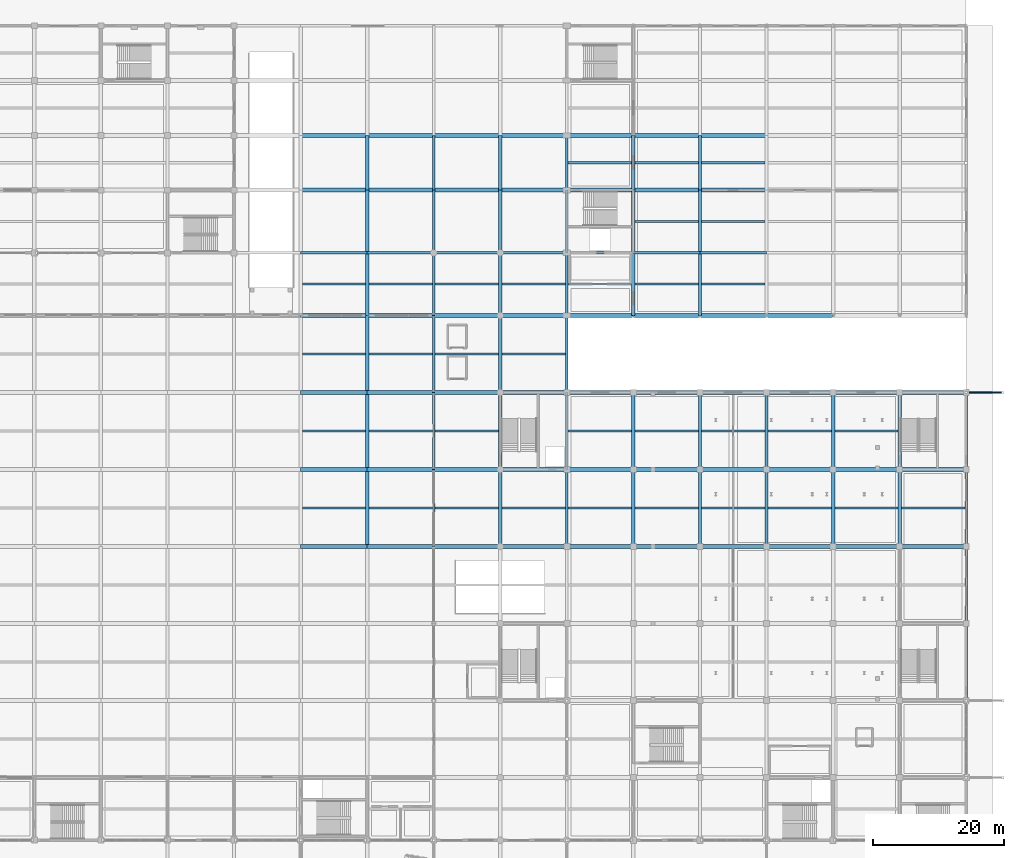
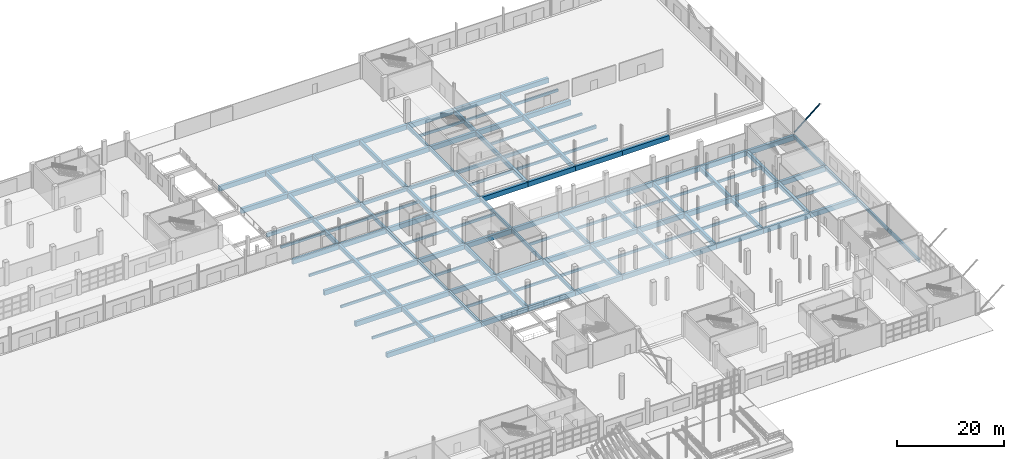
# One storey, part 64 of 124: 137 beams, 1 member.
"""IFC4 building model written with IfcOpenShell, lengths in metres."""

from ifc_helpers import new_model, si_unit, direction, frame, origin, origin_2d, place, context, subcontext, project, spatial, rectangle, hollow_circle, extrude, material, material_profile, profile_set, type_object, element, save


model = new_model("IFC4")

# Units and contexts
model_context = context("Model", 3, precision=1e-05, world=origin(), true_north=direction((0.0, 1.0)))
body_context = subcontext(model_context, "Body", "Model", "MODEL_VIEW")
ifc_project = project(units=[si_unit("LENGTHUNIT", "METRE"), si_unit("AREAUNIT", "SQUARE_METRE"), si_unit("VOLUMEUNIT", "CUBIC_METRE"), si_unit("PLANEANGLEUNIT", "RADIAN"), si_unit("MASSUNIT", "GRAM", prefix="KILO")], contexts=[model_context])

# Site, building, storey
site_placement = place(None, origin())
site = spatial("IfcSite", under=ifc_project, at=site_placement, CompositionType="ELEMENT")
building_placement = place(site_placement, origin())
building = spatial("IfcBuilding", under=site, at=building_placement, Name="Brelvane Convention Centre", CompositionType="ELEMENT")
storey_placement = place(building_placement, origin())
storey = spatial("IfcBuildingStorey", under=building, at=storey_placement, Name="L00", CompositionType="ELEMENT", Elevation=0.0)

# Beams
ifc_material_1 = material(Name="Concrete M50", Category="concrete")
ifc_material_profile_1 = material_profile(ifc_material_1, rectangle(XDim=0.60009765625, YDim=1.10009765625, at=origin_2d()), Name="RC 600x1100")
ifc_profile_set_1 = profile_set([ifc_material_profile_1], Name="Concrete M50")
beam_type_1 = type_object("IfcBeamType", Name="RC Beam B-RC2 (RC 600x1100)", PredefinedType="BEAM", material=ifc_profile_set_1)
for number, where, z_axis, x_axis, name in (
    (1, (122.39990234375, 64.199951171875, -0.929931640625), (1.0, 0.0, 0.0), (0.0, 1.0, 0.0), "L00 Beam 13-14/G"),
    (2, (122.39990234375, 76.0, -0.929931640625), (1.0, 0.0, 0.0), (0.0, 1.0, 0.0), "L00 Beam 13-14/H"),
    (3, (122.39990234375, 87.800048828125, -0.929931640625), (1.0, 0.0, 0.0), (0.0, 1.0, 0.0), "L00 Beam 13-14/J"),
    (4, (122.39990234375, 99.60009765625, -0.949951171875), (1.0, 0.0, 0.0), (0.0, 1.0, 0.0), "L00 Beam 13-14/K"),
    (5, (122.39990234375, 118.800048828125, -0.949951171875), (1.0, 0.0, 0.0), (0.0, 1.0, 0.0), "L00 Beam 13-14/M"),
    (6, (122.39990234375, 127.199951171875, -0.949951171875), (1.0, 0.0, 0.0), (0.0, 1.0, 0.0), "L00 Beam 13-14/N"),
):
    element("IfcBeam", number, at=place(storey_placement, frame(where, z_axis=z_axis, x_axis=x_axis)), inside=storey, type_object=beam_type_1, Name=name, PredefinedType="BEAM", context=body_context, shape_type="SweptSolid", body=[
        extrude(rectangle(XDim=0.60009765625, YDim=1.10009765625, at=origin_2d()), origin(), (0.0, 0.0, 1.0), 10.2001953125),
    ])
for number, where, z_axis, x_axis, name in (
    (7, (132.60009765625, 64.199951171875, -0.929931640625), (1.0, 0.0, 0.0), (0.0, 1.0, 0.0), "L00 Beam 14-15/G"),
    (8, (132.60009765625, 76.0, -0.929931640625), (1.0, 0.0, 0.0), (0.0, 1.0, 0.0), "L00 Beam 14-15/H"),
    (9, (132.60009765625, 87.800048828125, -0.929931640625), (1.0, 0.0, 0.0), (0.0, 1.0, 0.0), "L00 Beam 14-15/J"),
    (10, (132.60009765625, 99.60009765625, -0.949951171875), (1.0, 0.0, 0.0), (0.0, 1.0, 0.0), "L00 Beam 14-15/K"),
    (11, (132.60009765625, 118.800048828125, -0.949951171875), (1.0, 0.0, 0.0), (0.0, 1.0, 0.0), "L00 Beam 14-15/M"),
    (12, (132.60009765625, 127.199951171875, -0.949951171875), (1.0, 0.0, 0.0), (0.0, 1.0, 0.0), "L00 Beam 14-15/N"),
    (13, (142.800048828125, 64.199951171875, -0.949951171875), (1.0, 0.0, 0.0), (0.0, 1.0, 0.0), "L00 Beam 15-16/G"),
    (14, (142.800048828125, 76.0, -0.949951171875), (1.0, 0.0, 0.0), (0.0, 1.0, 0.0), "L00 Beam 15-16/H"),
    (15, (142.800048828125, 87.800048828125, -0.949951171875), (1.0, 0.0, 0.0), (0.0, 1.0, 0.0), "L00 Beam 15-16/J"),
    (16, (142.800048828125, 99.60009765625, -0.949951171875), (1.0, 0.0, 0.0), (0.0, 1.0, 0.0), "L00 Beam 15-16/K"),
    (17, (142.800048828125, 118.800048828125, -0.949951171875), (1.0, 0.0, 0.0), (0.0, 1.0, 0.0), "L00 Beam 15-16/M"),
    (18, (142.800048828125, 127.199951171875, -0.949951171875), (1.0, 0.0, 0.0), (0.0, 1.0, 0.0), "L00 Beam 15-16/N"),
    (19, (153.0, 64.199951171875, -0.949951171875), (1.0, 0.0, 0.0), (0.0, 1.0, 0.0), "L00 Beam 16-17/G"),
    (20, (153.0, 76.0, -0.949951171875), (1.0, 0.0, 0.0), (0.0, 1.0, 0.0), "L00 Beam 16-17/H"),
    (21, (153.0, 87.800048828125, -0.949951171875), (1.0, 0.0, 0.0), (0.0, 1.0, 0.0), "L00 Beam 16-17/J"),
    (22, (153.0, 99.60009765625, -0.949951171875), (1.0, 0.0, 0.0), (0.0, 1.0, 0.0), "L00 Beam 16-17/K"),
    (23, (153.0, 118.800048828125, -0.949951171875), (1.0, 0.0, 0.0), (0.0, 1.0, 0.0), "L00 Beam 16-17/M"),
    (24, (153.0, 127.199951171875, -0.949951171875), (1.0, 0.0, 0.0), (0.0, 1.0, 0.0), "L00 Beam 16-17/N"),
    (25, (163.199951171875, 64.199951171875, -0.949951171875), (1.0, 0.0, 0.0), (0.0, 1.0, 0.0), "L00 Beam 17-18/G"),
    (26, (163.199951171875, 76.0, -0.949951171875), (1.0, 0.0, 0.0), (0.0, 1.0, 0.0), "L00 Beam 17-18/H"),
    (27, (163.199951171875, 87.800048828125, -0.949951171875), (1.0, 0.0, 0.0), (0.0, 1.0, 0.0), "L00 Beam 17-18/J"),
    (28, (163.199951171875, 99.60009765625, -0.9951171875), (1.0, 0.0, 0.0), (0.0, 1.0, 0.0), "L00 Beam 17-18/K"),
    (29, (163.199951171875, 118.800048828125, -0.9951171875), (1.0, 0.0, 0.0), (0.0, 1.0, 0.0), "L00 Beam 17-18/M"),
    (30, (163.199951171875, 127.199951171875, -0.9951171875), (1.0, 0.0, 0.0), (0.0, 1.0, 0.0), "L00 Beam 17-18/N"),
):
    element("IfcBeam", number, at=place(storey_placement, frame(where, z_axis=z_axis, x_axis=x_axis)), inside=storey, type_object=beam_type_1, Name=name, PredefinedType="BEAM", context=body_context, shape_type="SweptSolid", body=[
        extrude(rectangle(XDim=0.60009765625, YDim=1.10009765625, at=origin_2d()), origin(), (0.0, 0.0, 1.0), 10.199951171875),
    ])
for number, where, z_axis, x_axis, name in (
    (31, (173.39990234375, 64.199951171875, -0.949951171875), (1.0, 0.0, 0.0), (0.0, 1.0, 0.0), "L00 Beam 18-19/G"),
    (32, (173.39990234375, 76.0, -0.949951171875), (1.0, 0.0, 0.0), (0.0, 1.0, 0.0), "L00 Beam 18-19/H"),
    (33, (173.39990234375, 87.800048828125, -0.949951171875), (1.0, 0.0, 0.0), (0.0, 1.0, 0.0), "L00 Beam 18-19/J"),
    (34, (173.39990234375, 99.60009765625, -0.9951171875), (1.0, 0.0, 0.0), (0.0, 1.0, 0.0), "L00 Beam 18-19/K"),
    (35, (173.39990234375, 118.800048828125, -0.9951171875), (1.0, 0.0, 0.0), (0.0, 1.0, 0.0), "L00 Beam 18-19/M"),
    (36, (173.39990234375, 127.199951171875, -0.9951171875), (1.0, 0.0, 0.0), (0.0, 1.0, 0.0), "L00 Beam 18-19/N"),
):
    element("IfcBeam", number, at=place(storey_placement, frame(where, z_axis=z_axis, x_axis=x_axis)), inside=storey, type_object=beam_type_1, Name=name, PredefinedType="BEAM", context=body_context, shape_type="SweptSolid", body=[
        extrude(rectangle(XDim=0.60009765625, YDim=1.10009765625, at=origin_2d()), origin(), (0.0, 0.0, 1.0), 10.2001953125),
    ])
for number, where, z_axis, x_axis, name in (
    (37, (183.60009765625, 64.199951171875, -0.949951171875), (1.0, 0.0, 0.0), (0.0, 1.0, 0.0), "L00 Beam 19-20/G"),
    (38, (183.60009765625, 76.0, -0.949951171875), (1.0, 0.0, 0.0), (0.0, 1.0, 0.0), "L00 Beam 19-20/H"),
    (39, (183.60009765625, 87.800048828125, -0.949951171875), (1.0, 0.0, 0.0), (0.0, 1.0, 0.0), "L00 Beam 19-20/J"),
    (40, (183.60009765625, 99.60009765625, -0.9951171875), (1.0, 0.0, 0.0), (0.0, 1.0, 0.0), "L00 Beam 19-20/K"),
    (41, (183.60009765625, 118.800048828125, -0.9951171875), (1.0, 0.0, 0.0), (0.0, 1.0, 0.0), "L00 Beam 19-20/M"),
    (42, (183.60009765625, 127.199951171875, -0.9951171875), (1.0, 0.0, 0.0), (0.0, 1.0, 0.0), "L00 Beam 19-20/N"),
    (43, (193.800048828125, 64.199951171875, -0.949951171875), (1.0, 0.0, 0.0), (0.0, 1.0, 0.0), "L00 Beam 20-21/G"),
    (44, (193.800048828125, 76.0, -0.949951171875), (1.0, 0.0, 0.0), (0.0, 1.0, 0.0), "L00 Beam 20-21/H"),
    (45, (193.800048828125, 87.800048828125, -0.949951171875), (1.0, 0.0, 0.0), (0.0, 1.0, 0.0), "L00 Beam 20-21/J"),
    (46, (193.800048828125, 99.60009765625, -0.9951171875), (1.0, 0.0, 0.0), (0.0, 1.0, 0.0), "L00 Beam 20-21/K"),
    (47, (204.0, 64.199951171875, -0.949951171875), (1.0, 0.0, 0.0), (0.0, 1.0, 0.0), "L00 Beam 21-22/G"),
    (48, (204.0, 76.0, -0.949951171875), (1.0, 0.0, 0.0), (0.0, 1.0, 0.0), "L00 Beam 21-22/H"),
    (49, (204.0, 87.800048828125, -0.949951171875), (1.0, 0.0, 0.0), (0.0, 1.0, 0.0), "L00 Beam 21-22/J"),
    (50, (214.199951171875, 64.199951171875, -0.949951171875), (1.0, 0.0, 0.0), (0.0, 1.0, 0.0), "L00 Beam 22-23/G"),
    (51, (214.199951171875, 76.0, -0.949951171875), (1.0, 0.0, 0.0), (0.0, 1.0, 0.0), "L00 Beam 22-23/H"),
    (52, (214.199951171875, 87.800048828125, -0.949951171875), (1.0, 0.0, 0.0), (0.0, 1.0, 0.0), "L00 Beam 22-23/J"),
):
    element("IfcBeam", number, at=place(storey_placement, frame(where, z_axis=z_axis, x_axis=x_axis)), inside=storey, type_object=beam_type_1, Name=name, PredefinedType="BEAM", context=body_context, shape_type="SweptSolid", body=[
        extrude(rectangle(XDim=0.60009765625, YDim=1.10009765625, at=origin_2d()), origin(), (0.0, 0.0, 1.0), 10.199951171875),
    ])
ifc_material_2 = material(Name="Concrete M50", Category="concrete")
ifc_material_profile_2 = material_profile(ifc_material_2, rectangle(XDim=0.52001953125, YDim=0.949951171875, at=origin_2d()), Name="RC 520x950")
ifc_profile_set_2 = profile_set([ifc_material_profile_2], Name="Concrete M50")
beam_type_2 = type_object("IfcBeamType", Name="RC Beam B-RC9 (RC 520x950)", PredefinedType="BEAM", material=ifc_profile_set_2)
for number, where, z_axis, x_axis, name in (
    (53, (132.60009765625, 64.199951171875, -0.85498046875), (0.0, 1.0, 0.0), (-1.0, 0.0, 0.0), "L00 Girder 14/G-H"),
    (54, (132.60009765625, 76.0, -0.85498046875), (0.0, 1.0, 0.0), (-1.0, 0.0, 0.0), "L00 Girder 14/H-J"),
    (55, (132.60009765625, 87.800048828125, -0.85498046875), (0.0, 1.0, 0.0), (-1.0, 0.0, 0.0), "L00 Girder 14/J-K"),
):
    element("IfcBeam", number, at=place(storey_placement, frame(where, z_axis=z_axis, x_axis=x_axis)), inside=storey, type_object=beam_type_2, Name=name, PredefinedType="BEAM", context=body_context, shape_type="SweptSolid", body=[
        extrude(rectangle(XDim=0.52001953125, YDim=0.949951171875, at=origin_2d()), origin(), (0.0, 0.0, 1.0), 11.800048828125),
    ])
beam_1_placement = place(storey_placement, frame((132.60009765625, 99.60009765625, -0.875), z_axis=(0.0, 1.0, 0.0), x_axis=(-1.0, 0.0, 0.0)))
element("IfcBeam", 56, at=beam_1_placement, inside=storey, type_object=beam_type_2, Name="L00 Girder 14/K-L", PredefinedType="BEAM", context=body_context, shape_type="SweptSolid", body=[
    extrude(rectangle(XDim=0.52001953125, YDim=0.949951171875, at=origin_2d()), origin(), (0.0, 0.0, 1.0), 9.599853515625),
])
beam_2_placement = place(storey_placement, frame((132.60009765625, 109.199951171875, -0.875), z_axis=(0.0, 1.0, 0.0), x_axis=(-1.0, 0.0, 0.0)))
element("IfcBeam", 57, at=beam_2_placement, inside=storey, type_object=beam_type_2, Name="L00 Girder 14/L-M", PredefinedType="BEAM", context=body_context, shape_type="SweptSolid", body=[
    extrude(rectangle(XDim=0.52001953125, YDim=0.949951171875, at=origin_2d()), origin(), (0.0, 0.0, 1.0), 9.60009765625),
])
beam_3_placement = place(storey_placement, frame((132.60009765625, 118.800048828125, -0.875), z_axis=(0.0, 1.0, 0.0), x_axis=(-1.0, 0.0, 0.0)))
element("IfcBeam", 58, at=beam_3_placement, inside=storey, type_object=beam_type_2, Name="L00 Girder 14/M-N", PredefinedType="BEAM", context=body_context, shape_type="SweptSolid", body=[
    extrude(rectangle(XDim=0.52001953125, YDim=0.949951171875, at=origin_2d()), origin(), (0.0, 0.0, 1.0), 8.39990234375),
])
for number, where, z_axis, x_axis, name in (
    (59, (153.0, 64.199951171875, -0.875), (0.0, 1.0, 0.0), (-1.0, 0.0, 0.0), "L00 Girder 16/G-H"),
    (60, (153.0, 76.0, -0.875), (0.0, 1.0, 0.0), (-1.0, 0.0, 0.0), "L00 Girder 16/H-J"),
    (61, (153.0, 87.800048828125, -0.875), (0.0, 1.0, 0.0), (-1.0, 0.0, 0.0), "L00 Girder 16/J-K"),
):
    element("IfcBeam", number, at=place(storey_placement, frame(where, z_axis=z_axis, x_axis=x_axis)), inside=storey, type_object=beam_type_2, Name=name, PredefinedType="BEAM", context=body_context, shape_type="SweptSolid", body=[
        extrude(rectangle(XDim=0.52001953125, YDim=0.949951171875, at=origin_2d()), origin(), (0.0, 0.0, 1.0), 11.800048828125),
    ])
beam_4_placement = place(storey_placement, frame((153.0, 99.60009765625, -0.875), z_axis=(0.0, 1.0, 0.0), x_axis=(-1.0, 0.0, 0.0)))
element("IfcBeam", 62, at=beam_4_placement, inside=storey, type_object=beam_type_2, Name="L00 Girder 16/K-L", PredefinedType="BEAM", context=body_context, shape_type="SweptSolid", body=[
    extrude(rectangle(XDim=0.52001953125, YDim=0.949951171875, at=origin_2d()), origin(), (0.0, 0.0, 1.0), 9.599853515625),
])
beam_5_placement = place(storey_placement, frame((153.0, 109.199951171875, -0.875), z_axis=(0.0, 1.0, 0.0), x_axis=(-1.0, 0.0, 0.0)))
element("IfcBeam", 63, at=beam_5_placement, inside=storey, type_object=beam_type_2, Name="L00 Girder 16/L-M", PredefinedType="BEAM", context=body_context, shape_type="SweptSolid", body=[
    extrude(rectangle(XDim=0.52001953125, YDim=0.949951171875, at=origin_2d()), origin(), (0.0, 0.0, 1.0), 9.60009765625),
])
beam_6_placement = place(storey_placement, frame((153.0, 118.800048828125, -0.875), z_axis=(0.0, 1.0, 0.0), x_axis=(-1.0, 0.0, 0.0)))
element("IfcBeam", 64, at=beam_6_placement, inside=storey, type_object=beam_type_2, Name="L00 Girder 16/M-N", PredefinedType="BEAM", context=body_context, shape_type="SweptSolid", body=[
    extrude(rectangle(XDim=0.52001953125, YDim=0.949951171875, at=origin_2d()), origin(), (0.0, 0.0, 1.0), 8.39990234375),
])
for number, where, z_axis, x_axis, name in (
    (65, (173.39990234375, 64.199951171875, -0.875), (0.0, 1.0, 0.0), (-1.0, 0.0, 0.0), "L00 Girder 18/G-H"),
    (66, (173.39990234375, 76.0, -0.875), (0.0, 1.0, 0.0), (-1.0, 0.0, 0.0), "L00 Girder 18/H-J"),
):
    element("IfcBeam", number, at=place(storey_placement, frame(where, z_axis=z_axis, x_axis=x_axis)), inside=storey, type_object=beam_type_2, Name=name, PredefinedType="BEAM", context=body_context, shape_type="SweptSolid", body=[
        extrude(rectangle(XDim=0.52001953125, YDim=0.949951171875, at=origin_2d()), origin(), (0.0, 0.0, 1.0), 11.800048828125),
    ])
beam_7_placement = place(storey_placement, frame((173.39990234375, 99.60009765625, -0.919921875), z_axis=(0.0, 1.0, 0.0), x_axis=(-1.0, 0.0, 0.0)))
element("IfcBeam", 67, at=beam_7_placement, inside=storey, type_object=beam_type_2, Name="L00 Girder 18/K-L", PredefinedType="BEAM", context=body_context, shape_type="SweptSolid", body=[
    extrude(rectangle(XDim=0.52001953125, YDim=0.949951171875, at=origin_2d()), origin(), (0.0, 0.0, 1.0), 9.599853515625),
])
beam_8_placement = place(storey_placement, frame((173.39990234375, 109.199951171875, -0.919921875), z_axis=(0.0, 1.0, 0.0), x_axis=(-1.0, 0.0, 0.0)))
element("IfcBeam", 68, at=beam_8_placement, inside=storey, type_object=beam_type_2, Name="L00 Girder 18/L-M", PredefinedType="BEAM", context=body_context, shape_type="SweptSolid", body=[
    extrude(rectangle(XDim=0.52001953125, YDim=0.949951171875, at=origin_2d()), origin(), (0.0, 0.0, 1.0), 9.60009765625),
])
beam_9_placement = place(storey_placement, frame((173.39990234375, 118.800048828125, -0.919921875), z_axis=(0.0, 1.0, 0.0), x_axis=(-1.0, 0.0, 0.0)))
element("IfcBeam", 69, at=beam_9_placement, inside=storey, type_object=beam_type_2, Name="L00 Girder 18/M-N", PredefinedType="BEAM", context=body_context, shape_type="SweptSolid", body=[
    extrude(rectangle(XDim=0.52001953125, YDim=0.949951171875, at=origin_2d()), origin(), (0.0, 0.0, 1.0), 8.39990234375),
])
for number, where, z_axis, x_axis, name in (
    (70, (183.60009765625, 64.199951171875, -0.875), (0.0, 1.0, 0.0), (-1.0, 0.0, 0.0), "L00 Girder 19/G-H"),
    (71, (183.60009765625, 76.0, -0.875), (0.0, 1.0, 0.0), (-1.0, 0.0, 0.0), "L00 Girder 19/H-J"),
):
    element("IfcBeam", number, at=place(storey_placement, frame(where, z_axis=z_axis, x_axis=x_axis)), inside=storey, type_object=beam_type_2, Name=name, PredefinedType="BEAM", context=body_context, shape_type="SweptSolid", body=[
        extrude(rectangle(XDim=0.52001953125, YDim=0.949951171875, at=origin_2d()), origin(), (0.0, 0.0, 1.0), 11.800048828125),
    ])
beam_10_placement = place(storey_placement, frame((183.60009765625, 99.60009765625, -0.919921875), z_axis=(0.0, 1.0, 0.0), x_axis=(-1.0, 0.0, 0.0)))
element("IfcBeam", 72, at=beam_10_placement, inside=storey, type_object=beam_type_2, Name="L00 Girder 19/K-L", PredefinedType="BEAM", context=body_context, shape_type="SweptSolid", body=[
    extrude(rectangle(XDim=0.52001953125, YDim=0.949951171875, at=origin_2d()), origin(), (0.0, 0.0, 1.0), 9.599853515625),
])
beam_11_placement = place(storey_placement, frame((183.60009765625, 109.199951171875, -0.919921875), z_axis=(0.0, 1.0, 0.0), x_axis=(-1.0, 0.0, 0.0)))
element("IfcBeam", 73, at=beam_11_placement, inside=storey, type_object=beam_type_2, Name="L00 Girder 19/L-M", PredefinedType="BEAM", context=body_context, shape_type="SweptSolid", body=[
    extrude(rectangle(XDim=0.52001953125, YDim=0.949951171875, at=origin_2d()), origin(), (0.0, 0.0, 1.0), 9.60009765625),
])
beam_12_placement = place(storey_placement, frame((183.60009765625, 118.800048828125, -0.919921875), z_axis=(0.0, 1.0, 0.0), x_axis=(-1.0, 0.0, 0.0)))
element("IfcBeam", 74, at=beam_12_placement, inside=storey, type_object=beam_type_2, Name="L00 Girder 19/M-N", PredefinedType="BEAM", context=body_context, shape_type="SweptSolid", body=[
    extrude(rectangle(XDim=0.52001953125, YDim=0.949951171875, at=origin_2d()), origin(), (0.0, 0.0, 1.0), 8.39990234375),
])
for number, where, z_axis, x_axis, name in (
    (75, (193.800048828125, 64.199951171875, -0.875), (0.0, 1.0, 0.0), (-1.0, 0.0, 0.0), "L00 Girder 20/G-H"),
    (76, (193.800048828125, 76.0, -0.875), (0.0, 1.0, 0.0), (-1.0, 0.0, 0.0), "L00 Girder 20/H-J"),
    (77, (204.0, 64.199951171875, -0.875), (0.0, 1.0, 0.0), (-1.0, 0.0, 0.0), "L00 Girder 21/G-H"),
    (78, (204.0, 76.0, -0.875), (0.0, 1.0, 0.0), (-1.0, 0.0, 0.0), "L00 Girder 21/H-J"),
    (79, (214.199951171875, 64.199951171875, -0.875), (0.0, 1.0, 0.0), (-1.0, 0.0, 0.0), "L00 Girder 22/G-H"),
    (80, (214.199951171875, 76.0, -0.875), (0.0, 1.0, 0.0), (-1.0, 0.0, 0.0), "L00 Girder 22/H-J"),
):
    element("IfcBeam", number, at=place(storey_placement, frame(where, z_axis=z_axis, x_axis=x_axis)), inside=storey, type_object=beam_type_2, Name=name, PredefinedType="BEAM", context=body_context, shape_type="SweptSolid", body=[
        extrude(rectangle(XDim=0.52001953125, YDim=0.949951171875, at=origin_2d()), origin(), (0.0, 0.0, 1.0), 11.800048828125),
    ])
ifc_material_3 = material(Name="Concrete M40", Category="concrete")
ifc_material_profile_3 = material_profile(ifc_material_3, rectangle(XDim=0.320068359375, YDim=0.580078125, at=origin_2d()), Name="RC 320x580")
ifc_profile_set_3 = profile_set([ifc_material_profile_3], Name="Concrete M40")
beam_type_3 = type_object("IfcBeamType", Name="RC Joist J-RC3 (RC 320x580)", PredefinedType="JOIST", material=ifc_profile_set_3)
for number, where, z_axis, x_axis, name in (
    (81, (122.659912109375, 70.10009765625, -0.669921875), (1.0, 0.0, 0.0), (0.0, 1.0, 0.0), "L00 Secondary Joist 13-14/GH"),
    (82, (122.659912109375, 81.89990234375, -0.669921875), (1.0, 0.0, 0.0), (0.0, 1.0, 0.0), "L00 Secondary Joist 13-14/HJ"),
    (83, (122.659912109375, 93.699951171875, -0.669921875), (1.0, 0.0, 0.0), (0.0, 1.0, 0.0), "L00 Secondary Joist 13-14/JK"),
    (84, (122.659912109375, 104.39990234375, -0.68994140625), (1.0, 0.0, 0.0), (0.0, 1.0, 0.0), "L00 Secondary Joist 13-14/KL"),
):
    element("IfcBeam", number, at=place(storey_placement, frame(where, z_axis=z_axis, x_axis=x_axis)), inside=storey, type_object=beam_type_3, Name=name, PredefinedType="JOIST", context=body_context, shape_type="SweptSolid", body=[
        extrude(rectangle(XDim=0.320068359375, YDim=0.580078125, at=origin_2d()), origin(), (0.0, 0.0, 1.0), 9.68017578125),
    ])
for number, where, z_axis, x_axis, name in (
    (85, (132.860107421875, 70.10009765625, -0.669921875), (1.0, 0.0, 0.0), (0.0, 1.0, 0.0), "L00 Secondary Joist 14-15/GH"),
    (86, (132.860107421875, 81.89990234375, -0.669921875), (1.0, 0.0, 0.0), (0.0, 1.0, 0.0), "L00 Secondary Joist 14-15/HJ"),
    (87, (132.860107421875, 93.699951171875, -0.669921875), (1.0, 0.0, 0.0), (0.0, 1.0, 0.0), "L00 Secondary Joist 14-15/JK"),
    (88, (132.860107421875, 104.39990234375, -0.68994140625), (1.0, 0.0, 0.0), (0.0, 1.0, 0.0), "L00 Secondary Joist 14-15/KL"),
    (89, (143.0, 70.10009765625, -0.68994140625), (1.0, 0.0, 0.0), (0.0, 1.0, 0.0), "L00 Secondary Joist 15-16/GH"),
    (90, (143.0, 81.89990234375, -0.68994140625), (1.0, 0.0, 0.0), (0.0, 1.0, 0.0), "L00 Secondary Joist 15-16/HJ"),
    (91, (143.0, 93.699951171875, -0.68994140625), (1.0, 0.0, 0.0), (0.0, 1.0, 0.0), "L00 Secondary Joist 15-16/JK"),
    (92, (143.0, 104.39990234375, -0.68994140625), (1.0, 0.0, 0.0), (0.0, 1.0, 0.0), "L00 Secondary Joist 15-16/KL"),
    (93, (153.260009765625, 70.10009765625, -0.68994140625), (1.0, 0.0, 0.0), (0.0, 1.0, 0.0), "L00 Secondary Joist 16-17/GH"),
    (94, (153.260009765625, 93.699951171875, -0.68994140625), (1.0, 0.0, 0.0), (0.0, 1.0, 0.0), "L00 Secondary Joist 16-17/JK"),
    (95, (153.260009765625, 104.39990234375, -0.68994140625), (1.0, 0.0, 0.0), (0.0, 1.0, 0.0), "L00 Secondary Joist 16-17/KL"),
    (96, (163.39990234375, 70.10009765625, -0.68994140625), (1.0, 0.0, 0.0), (0.0, 1.0, 0.0), "L00 Secondary Joist 17-18/GH"),
    (97, (163.39990234375, 81.89990234375, -0.68994140625), (1.0, 0.0, 0.0), (0.0, 1.0, 0.0), "L00 Secondary Joist 17-18/HJ"),
    (98, (163.39990234375, 104.39990234375, -0.735107421875), (1.0, 0.0, 0.0), (0.0, 1.0, 0.0), "L00 Secondary Joist 17-18/KL"),
    (99, (163.39990234375, 123.0, -0.735107421875), (1.0, 0.0, 0.0), (0.0, 1.0, 0.0), "L00 Secondary Joist 17-18/MN"),
):
    element("IfcBeam", number, at=place(storey_placement, frame(where, z_axis=z_axis, x_axis=x_axis)), inside=storey, type_object=beam_type_3, Name=name, PredefinedType="JOIST", context=body_context, shape_type="SweptSolid", body=[
        extrude(rectangle(XDim=0.320068359375, YDim=0.580078125, at=origin_2d()), origin(), (0.0, 0.0, 1.0), 9.739990234375),
    ])
for number, where, z_axis, x_axis, name in (
    (100, (173.659912109375, 70.10009765625, -0.68994140625), (1.0, 0.0, 0.0), (0.0, 1.0, 0.0), "L00 Secondary Joist 18-19/GH"),
    (101, (173.659912109375, 81.89990234375, -0.68994140625), (1.0, 0.0, 0.0), (0.0, 1.0, 0.0), "L00 Secondary Joist 18-19/HJ"),
    (102, (173.659912109375, 104.39990234375, -0.735107421875), (1.0, 0.0, 0.0), (0.0, 1.0, 0.0), "L00 Secondary Joist 18-19/KL"),
    (103, (173.659912109375, 114.0, -0.735107421875), (1.0, 0.0, 0.0), (0.0, 1.0, 0.0), "L00 Secondary Joist 18-19/LM"),
    (104, (173.659912109375, 123.0, -0.735107421875), (1.0, 0.0, 0.0), (0.0, 1.0, 0.0), "L00 Secondary Joist 18-19/MN"),
):
    element("IfcBeam", number, at=place(storey_placement, frame(where, z_axis=z_axis, x_axis=x_axis)), inside=storey, type_object=beam_type_3, Name=name, PredefinedType="JOIST", context=body_context, shape_type="SweptSolid", body=[
        extrude(rectangle(XDim=0.320068359375, YDim=0.580078125, at=origin_2d()), origin(), (0.0, 0.0, 1.0), 9.68017578125),
    ])
for number, where, z_axis, x_axis, name in (
    (105, (183.860107421875, 70.10009765625, -0.68994140625), (1.0, 0.0, 0.0), (0.0, 1.0, 0.0), "L00 Secondary Joist 19-20/GH"),
    (106, (183.860107421875, 81.89990234375, -0.68994140625), (1.0, 0.0, 0.0), (0.0, 1.0, 0.0), "L00 Secondary Joist 19-20/HJ"),
    (107, (183.860107421875, 104.39990234375, -0.735107421875), (1.0, 0.0, 0.0), (0.0, 1.0, 0.0), "L00 Secondary Joist 19-20/KL"),
    (108, (183.860107421875, 114.0, -0.735107421875), (1.0, 0.0, 0.0), (0.0, 1.0, 0.0), "L00 Secondary Joist 19-20/LM"),
    (109, (183.860107421875, 123.0, -0.735107421875), (1.0, 0.0, 0.0), (0.0, 1.0, 0.0), "L00 Secondary Joist 19-20/MN"),
    (110, (194.06005859375, 70.10009765625, -0.68994140625), (1.0, 0.0, 0.0), (0.0, 1.0, 0.0), "L00 Secondary Joist 20-21/GH"),
    (111, (194.06005859375, 81.89990234375, -0.68994140625), (1.0, 0.0, 0.0), (0.0, 1.0, 0.0), "L00 Secondary Joist 20-21/HJ"),
    (112, (204.260009765625, 70.10009765625, -0.68994140625), (1.0, 0.0, 0.0), (0.0, 1.0, 0.0), "L00 Secondary Joist 21-22/GH"),
    (113, (204.260009765625, 81.89990234375, -0.68994140625), (1.0, 0.0, 0.0), (0.0, 1.0, 0.0), "L00 Secondary Joist 21-22/HJ"),
):
    element("IfcBeam", number, at=place(storey_placement, frame(where, z_axis=z_axis, x_axis=x_axis)), inside=storey, type_object=beam_type_3, Name=name, PredefinedType="JOIST", context=body_context, shape_type="SweptSolid", body=[
        extrude(rectangle(XDim=0.320068359375, YDim=0.580078125, at=origin_2d()), origin(), (0.0, 0.0, 1.0), 9.679931640625),
    ])
beam_13_placement = place(storey_placement, frame((214.4599609375, 70.10009765625, -0.68994140625), z_axis=(1.0, 0.0, 0.0), x_axis=(0.0, 1.0, 0.0)))
element("IfcBeam", 114, at=beam_13_placement, inside=storey, type_object=beam_type_3, Name="L00 Secondary Joist 22-23/GH", PredefinedType="JOIST", context=body_context, shape_type="SweptSolid", body=[
    extrude(rectangle(XDim=0.320068359375, YDim=0.580078125, at=origin_2d()), origin(), (0.0, 0.0, 1.0), 9.739990234375),
])
ifc_material_4 = material(Name="Concrete M40", Category="concrete")
ifc_material_profile_4 = material_profile(ifc_material_4, rectangle(XDim=0.39990234375, YDim=0.75, at=origin_2d()), Name="RC 400x750")
ifc_profile_set_4 = profile_set([ifc_material_profile_4], Name="Concrete M40")
beam_type_4 = type_object("IfcBeamType", Name="RC Spandrel SP-RC1 (RC 400x750)", PredefinedType="SPANDREL", material=ifc_profile_set_4)
beam_14_placement = place(storey_placement, frame((122.39990234375, 109.199951171875, -0.77490234375), z_axis=(1.0, 0.0, 0.0), x_axis=(0.0, 1.0, 0.0)))
element("IfcBeam", 115, at=beam_14_placement, inside=storey, type_object=beam_type_4, Name="L00 Beam 13-14/L", PredefinedType="SPANDREL", context=body_context, shape_type="SweptSolid", body=[
    extrude(rectangle(XDim=0.39990234375, YDim=0.75, at=origin_2d()), origin(), (0.0, 0.0, 1.0), 10.2001953125),
])
for number, where, z_axis, x_axis, name in (
    (116, (132.60009765625, 109.199951171875, -0.77490234375), (1.0, 0.0, 0.0), (0.0, 1.0, 0.0), "L00 Beam 14-15/L"),
    (117, (142.800048828125, 109.199951171875, -0.77490234375), (1.0, 0.0, 0.0), (0.0, 1.0, 0.0), "L00 Beam 15-16/L"),
    (118, (153.0, 109.199951171875, -0.77490234375), (1.0, 0.0, 0.0), (0.0, 1.0, 0.0), "L00 Beam 16-17/L"),
    (119, (163.199951171875, 109.199951171875, -0.820068359375), (1.0, 0.0, 0.0), (0.0, 1.0, 0.0), "L00 Beam 17-18/L"),
):
    element("IfcBeam", number, at=place(storey_placement, frame(where, z_axis=z_axis, x_axis=x_axis)), inside=storey, type_object=beam_type_4, Name=name, PredefinedType="SPANDREL", context=body_context, shape_type="SweptSolid", body=[
        extrude(rectangle(XDim=0.39990234375, YDim=0.75, at=origin_2d()), origin(), (0.0, 0.0, 1.0), 10.199951171875),
    ])
beam_15_placement = place(storey_placement, frame((173.39990234375, 109.199951171875, -0.820068359375), z_axis=(1.0, 0.0, 0.0), x_axis=(0.0, 1.0, 0.0)))
element("IfcBeam", 120, at=beam_15_placement, inside=storey, type_object=beam_type_4, Name="L00 Beam 18-19/L", PredefinedType="SPANDREL", context=body_context, shape_type="SweptSolid", body=[
    extrude(rectangle(XDim=0.39990234375, YDim=0.75, at=origin_2d()), origin(), (0.0, 0.0, 1.0), 10.2001953125),
])
beam_16_placement = place(storey_placement, frame((183.60009765625, 109.199951171875, -0.820068359375), z_axis=(1.0, 0.0, 0.0), x_axis=(0.0, 1.0, 0.0)))
element("IfcBeam", 121, at=beam_16_placement, inside=storey, type_object=beam_type_4, Name="L00 Beam 19-20/L", PredefinedType="SPANDREL", context=body_context, shape_type="SweptSolid", body=[
    extrude(rectangle(XDim=0.39990234375, YDim=0.75, at=origin_2d()), origin(), (0.0, 0.0, 1.0), 10.199951171875),
])
for number, where, z_axis, x_axis, name in (
    (122, (142.800048828125, 64.199951171875, -0.77490234375), (0.0, 1.0, 0.0), (-1.0, 0.0, 0.0), "L00 Girder 15/G-H"),
    (123, (142.800048828125, 76.0, -0.77490234375), (0.0, 1.0, 0.0), (-1.0, 0.0, 0.0), "L00 Girder 15/H-J"),
    (124, (142.800048828125, 87.800048828125, -0.77490234375), (0.0, 1.0, 0.0), (-1.0, 0.0, 0.0), "L00 Girder 15/J-K"),
):
    element("IfcBeam", number, at=place(storey_placement, frame(where, z_axis=z_axis, x_axis=x_axis)), inside=storey, type_object=beam_type_4, Name=name, PredefinedType="SPANDREL", context=body_context, shape_type="SweptSolid", body=[
        extrude(rectangle(XDim=0.39990234375, YDim=0.75, at=origin_2d()), origin(), (0.0, 0.0, 1.0), 11.800048828125),
    ])
beam_17_placement = place(storey_placement, frame((142.800048828125, 99.60009765625, -0.77490234375), z_axis=(0.0, 1.0, 0.0), x_axis=(-1.0, 0.0, 0.0)))
element("IfcBeam", 125, at=beam_17_placement, inside=storey, type_object=beam_type_4, Name="L00 Girder 15/K-L", PredefinedType="SPANDREL", context=body_context, shape_type="SweptSolid", body=[
    extrude(rectangle(XDim=0.39990234375, YDim=0.75, at=origin_2d()), origin(), (0.0, 0.0, 1.0), 9.599853515625),
])
beam_18_placement = place(storey_placement, frame((142.800048828125, 109.199951171875, -0.77490234375), z_axis=(0.0, 1.0, 0.0), x_axis=(-1.0, 0.0, 0.0)))
element("IfcBeam", 126, at=beam_18_placement, inside=storey, type_object=beam_type_4, Name="L00 Girder 15/L-M", PredefinedType="SPANDREL", context=body_context, shape_type="SweptSolid", body=[
    extrude(rectangle(XDim=0.39990234375, YDim=0.75, at=origin_2d()), origin(), (0.0, 0.0, 1.0), 9.60009765625),
])
beam_19_placement = place(storey_placement, frame((142.800048828125, 118.800048828125, -0.77490234375), z_axis=(0.0, 1.0, 0.0), x_axis=(-1.0, 0.0, 0.0)))
element("IfcBeam", 127, at=beam_19_placement, inside=storey, type_object=beam_type_4, Name="L00 Girder 15/M-N", PredefinedType="SPANDREL", context=body_context, shape_type="SweptSolid", body=[
    extrude(rectangle(XDim=0.39990234375, YDim=0.75, at=origin_2d()), origin(), (0.0, 0.0, 1.0), 8.39990234375),
])
for number, where, z_axis, x_axis, name in (
    (128, (163.199951171875, 64.199951171875, -0.77490234375), (0.0, 1.0, 0.0), (-1.0, 0.0, 0.0), "L00 Girder 17/G-H"),
    (129, (163.199951171875, 76.0, -0.77490234375), (0.0, 1.0, 0.0), (-1.0, 0.0, 0.0), "L00 Girder 17/H-J"),
    (130, (163.199951171875, 87.800048828125, -0.77490234375), (0.0, 1.0, 0.0), (-1.0, 0.0, 0.0), "L00 Girder 17/J-K"),
):
    element("IfcBeam", number, at=place(storey_placement, frame(where, z_axis=z_axis, x_axis=x_axis)), inside=storey, type_object=beam_type_4, Name=name, PredefinedType="SPANDREL", context=body_context, shape_type="SweptSolid", body=[
        extrude(rectangle(XDim=0.39990234375, YDim=0.75, at=origin_2d()), origin(), (0.0, 0.0, 1.0), 11.800048828125),
    ])
beam_20_placement = place(storey_placement, frame((163.199951171875, 99.60009765625, -0.820068359375), z_axis=(0.0, 1.0, 0.0), x_axis=(-1.0, 0.0, 0.0)))
element("IfcBeam", 131, at=beam_20_placement, inside=storey, type_object=beam_type_4, Name="L00 Girder 17/K-L", PredefinedType="SPANDREL", context=body_context, shape_type="SweptSolid", body=[
    extrude(rectangle(XDim=0.39990234375, YDim=0.75, at=origin_2d()), origin(), (0.0, 0.0, 1.0), 9.599853515625),
])
beam_21_placement = place(storey_placement, frame((163.199951171875, 109.199951171875, -0.820068359375), z_axis=(0.0, 1.0, 0.0), x_axis=(-1.0, 0.0, 0.0)))
element("IfcBeam", 132, at=beam_21_placement, inside=storey, type_object=beam_type_4, Name="L00 Girder 17/L-M", PredefinedType="SPANDREL", context=body_context, shape_type="SweptSolid", body=[
    extrude(rectangle(XDim=0.39990234375, YDim=0.75, at=origin_2d()), origin(), (0.0, 0.0, 1.0), 9.60009765625),
])
beam_22_placement = place(storey_placement, frame((163.199951171875, 118.800048828125, -0.820068359375), z_axis=(0.0, 1.0, 0.0), x_axis=(-1.0, 0.0, 0.0)))
element("IfcBeam", 133, at=beam_22_placement, inside=storey, type_object=beam_type_4, Name="L00 Girder 17/M-N", PredefinedType="SPANDREL", context=body_context, shape_type="SweptSolid", body=[
    extrude(rectangle(XDim=0.39990234375, YDim=0.75, at=origin_2d()), origin(), (0.0, 0.0, 1.0), 8.39990234375),
])
beam_23_placement = place(storey_placement, frame((224.39990234375, 40.60009765625, -0.77490234375), z_axis=(0.0, 1.0, 0.0), x_axis=(-1.0, 0.0, 0.0)))
element("IfcBeam", 134, at=beam_23_placement, inside=storey, type_object=beam_type_4, Name="L00 Girder 23/E-F", PredefinedType="SPANDREL", context=body_context, shape_type="SweptSolid", body=[
    extrude(rectangle(XDim=0.39990234375, YDim=0.75, at=origin_2d()), origin(), (0.0, 0.0, 1.0), 11.7998046875),
])
for number, where, z_axis, x_axis, name in (
    (135, (224.39990234375, 52.39990234375, -0.77490234375), (0.0, 1.0, 0.0), (-1.0, 0.0, 0.0), "L00 Girder 23/F-G"),
    (136, (224.39990234375, 64.199951171875, -0.77490234375), (0.0, 1.0, 0.0), (-1.0, 0.0, 0.0), "L00 Girder 23/G-H"),
    (137, (224.39990234375, 76.0, -0.77490234375), (0.0, 1.0, 0.0), (-1.0, 0.0, 0.0), "L00 Girder 23/H-J"),
):
    element("IfcBeam", number, at=place(storey_placement, frame(where, z_axis=z_axis, x_axis=x_axis)), inside=storey, type_object=beam_type_4, Name=name, PredefinedType="SPANDREL", context=body_context, shape_type="SweptSolid", body=[
        extrude(rectangle(XDim=0.39990234375, YDim=0.75, at=origin_2d()), origin(), (0.0, 0.0, 1.0), 11.800048828125),
    ])

# Member
ifc_material_5 = material(Name="Steel E450 (450 MPa)", Category="steel")
ifc_material_profile_5 = material_profile(ifc_material_5, hollow_circle(Radius=0.161865234375, WallThickness=0.012451171875, at=origin_2d()), Name="CHS 323.9x12.5")
ifc_profile_set_5 = profile_set([ifc_material_profile_5], Name="Steel E450 (450 MPa)")
member_type = type_object("IfcMemberType", Name="Steel Strut HS-ST2 (CHS 323.9x12.5)", PredefinedType="STRUT", material=ifc_profile_set_5)
member_placement = place(storey_placement, frame((224.39990234375, 87.800048828125, 0.050048828125), z_axis=(0.770710637556, 0.0, 0.637185305197), x_axis=(0.0, 1.0, 0.0)))
element("IfcMember", 138, at=member_placement, inside=storey, type_object=member_type, Name="Plenary East Overhang Raked Strut L01 Y87", PredefinedType="STRUT", context=body_context, shape_type="SweptSolid", body=[
    extrude(hollow_circle(Radius=0.161865234375, WallThickness=0.012451171875, at=origin_2d()), origin(), (0.0, 0.0, 1.0), 7.26611328125),
])

save(model, "model.ifc")
